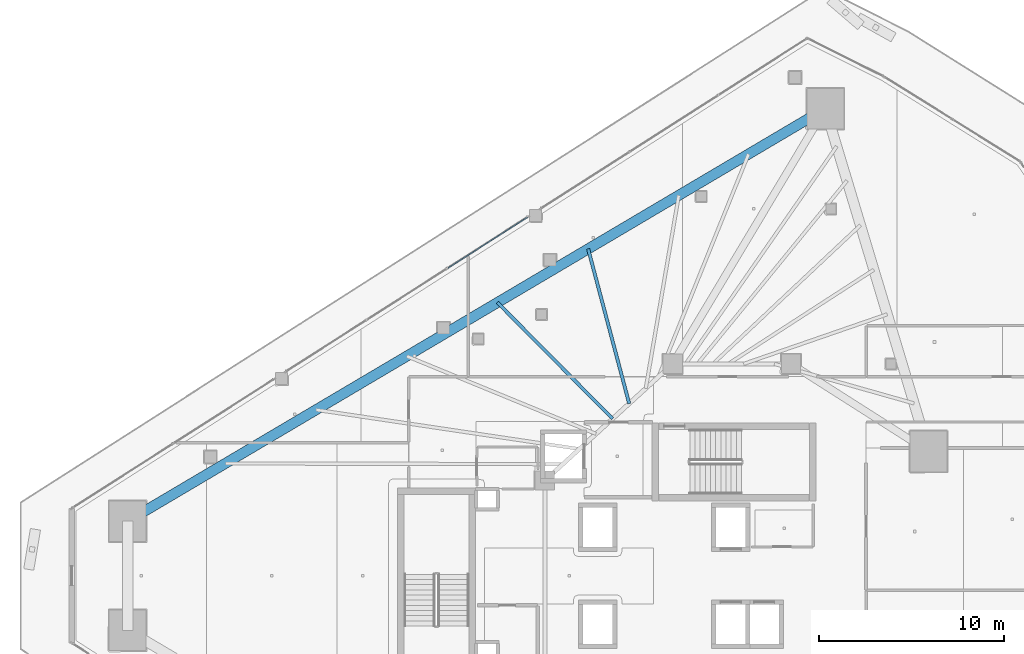
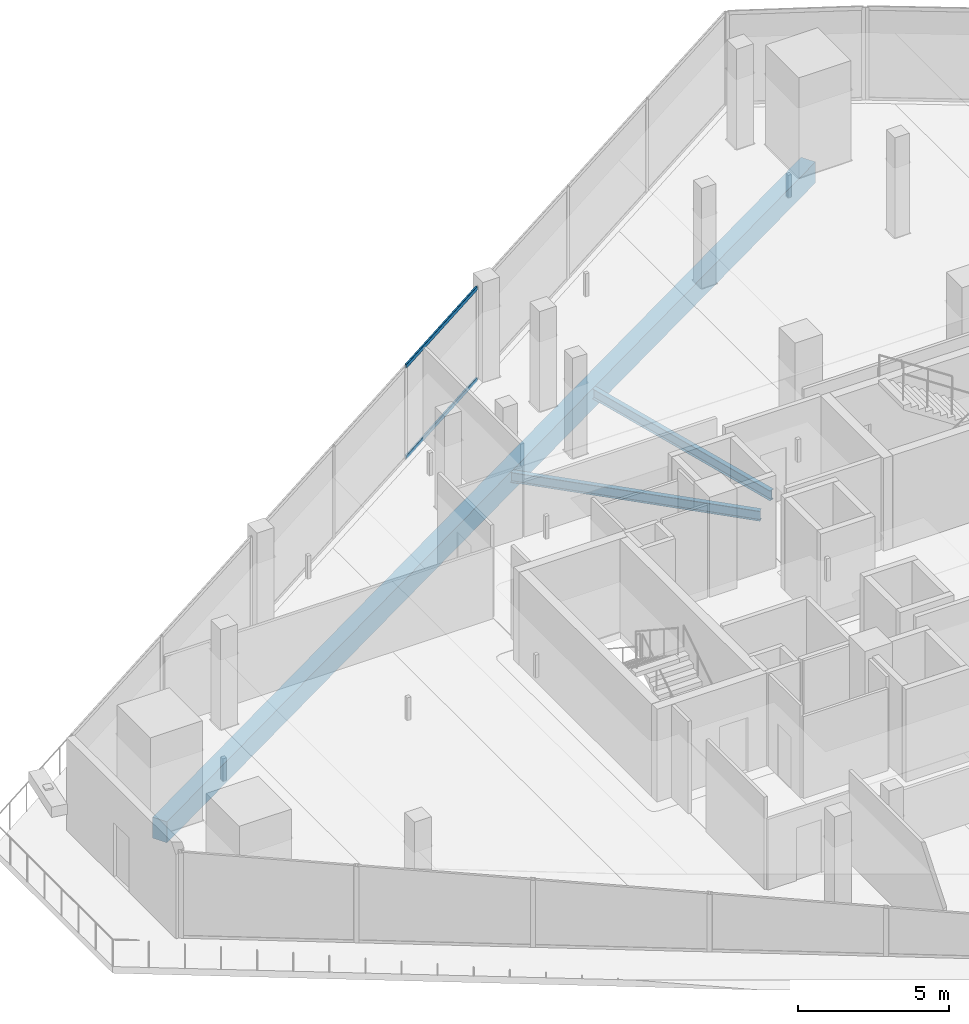
# One storey, part 16 of 36: 3 beams, 2 members, 1 element without a shape of its own.
"""IFC4 building model written with IfcOpenShell, lengths in metres."""

from ifc_helpers import new_model, si_unit, direction, frame, origin, origin_2d, place, context, subcontext, project, spatial, rectangle, hollow_rectangle, i_section, extrude, material, layer, layer_set, material_profile, profile_set, type_object, element, aggregate, save


model = new_model("IFC4")

# Units and contexts
model_context = context("Model", 3, precision=1e-05, world=origin(), true_north=direction((0.0, 1.0)))
body_context = subcontext(model_context, "Body", "Model", "MODEL_VIEW")
ifc_project = project(units=[si_unit("LENGTHUNIT", "METRE"), si_unit("AREAUNIT", "SQUARE_METRE"), si_unit("VOLUMEUNIT", "CUBIC_METRE"), si_unit("PLANEANGLEUNIT", "RADIAN"), si_unit("MASSUNIT", "GRAM", prefix="KILO")], contexts=[model_context])

# Site, building, storey
site_placement = place(None, origin())
site = spatial("IfcSite", under=ifc_project, at=site_placement, CompositionType="ELEMENT")
building_placement = place(site_placement, origin())
building = spatial("IfcBuilding", under=site, at=building_placement, Name="Qorvath Tower", CompositionType="ELEMENT")
storey_placement = place(building_placement, frame((0.0, 0.0, 170.550048828125)))
storey = spatial("IfcBuildingStorey", under=building, at=storey_placement, Name="L39", CompositionType="ELEMENT", Elevation=170.550048828125)

# Beams
ifc_material_1 = material(Name="Steel ASTM A992 Grade 50", Category="steel")
ifc_material_profile_1 = material_profile(ifc_material_1, i_section(OverallWidth=0.177978515625, OverallDepth=0.406005859375, WebThickness=0.0078125, FlangeThickness=0.0126953125, FilletRadius=0.010986328125, at=origin_2d()), Name="W16x40")
ifc_profile_set_1 = profile_set([ifc_material_profile_1], Name="Steel ASTM A992 Grade 50")
beam_type_1 = type_object("IfcBeamType", Name="BM-FJ3", PredefinedType="JOIST", material=ifc_profile_set_1)
beam_1_placement = place(storey_placement, frame((-26.843017578125, 8.489013671875, -0.47314453125), z_axis=(-0.70395121362, 0.710248328997, 0.0), x_axis=(-0.710248328997, -0.70395121362, 0.0)))
element("IfcBeam", 1, at=beam_1_placement, inside=storey, type_object=beam_type_1, Name="Composite Floor Joist NW4 L39", PredefinedType="JOIST", context=body_context, shape_type="SweptSolid", body=[
    extrude(i_section(OverallWidth=0.177978515625, OverallDepth=0.406005859375, WebThickness=0.0078125, FlangeThickness=0.0126953125, FilletRadius=0.010986328125, at=origin_2d()), origin(), (0.0, 0.0, 1.0), 8.839599609375),
])
beam_2_placement = place(storey_placement, frame((-25.946044921875, 9.30810546875, -0.47314453125), z_axis=(-0.256507909517, 0.966542131702, 0.0), x_axis=(-0.966542131702, -0.256507909517, 0.0)))
element("IfcBeam", 2, at=beam_2_placement, inside=storey, type_object=beam_type_1, Name="Composite Floor Joist NW5 L39", PredefinedType="JOIST", context=body_context, shape_type="SweptSolid", body=[
    extrude(i_section(OverallWidth=0.177978515625, OverallDepth=0.406005859375, WebThickness=0.0078125, FlangeThickness=0.0126953125, FilletRadius=0.010986328125, at=origin_2d()), origin(), (0.0, 0.0, 1.0), 8.64697265625),
])
ifc_material_2 = material(Name="Concrete C50/60", Category="concrete")
ifc_material_profile_2 = material_profile(ifc_material_2, rectangle(XDim=0.550048828125, YDim=0.85009765625, at=origin_2d()), Name="RCB 850x550")
ifc_profile_set_2 = profile_set([ifc_material_profile_2], Name="Concrete C50/60")
beam_type_2 = type_object("IfcBeamType", Name="BM-RCB2", PredefinedType="SPANDREL", material=ifc_profile_set_2)
beam_3_placement = place(storey_placement, frame((-15.34423828125, 25.24609375, -0.695068359375), z_axis=(-0.860775142889, -0.508985415689, 0.0), x_axis=(0.508985415689, -0.860775142889, 0.0)))
element("IfcBeam", 3, at=beam_3_placement, inside=storey, type_object=beam_type_2, Name="Perimeter Loggia Frame Beam MC6-MC1 L39", PredefinedType="SPANDREL", context=body_context, shape_type="SweptSolid", body=[
    extrude(rectangle(XDim=0.550048828125, YDim=0.85009765625, at=origin_2d()), origin(), (0.0, 0.0, 1.0), 43.8037109375),
])

# Curtain wall, members
ifc_material_3 = material(Name="Anodised aluminium and triple low-E glass", Category="aluminium")
ifc_layer = layer(ifc_material_3, 0.179931640625)
ifc_layer_set = layer_set([ifc_layer], Name="CW-SYS-3")
curtain_wall_type = type_object("IfcCurtainWallType", Name="CW-SYS-3", PredefinedType="NOTDEFINED", material=ifc_layer_set)
curtain_wall_placement = place(storey_placement, origin())
curtain_wall = element("IfcCurtainWall", 4, at=curtain_wall_placement, inside=storey, type_object=curtain_wall_type, Name="Curtain Wall CW-3 CW-T-L39-16.2", PredefinedType="NOTDEFINED")
ifc_material_4 = material(Name="Anodised aluminium 6063-T6", Category="aluminium")
ifc_material_profile_3 = material_profile(ifc_material_4, hollow_rectangle(XDim=0.06494140625, YDim=0.159912109375, WallThickness=0.00341796875, InnerFilletRadius=0.00341796875, OuterFilletRadius=0.007080078125, at=origin_2d()), Name="CWT 160x65")
ifc_profile_set_3 = profile_set([ifc_material_profile_3], Name="Anodised aluminium 6063-T6")
member_type = type_object("IfcMemberType", Name="CWT-160", PredefinedType="USERDEFINED", material=ifc_profile_set_3)
member_1_placement = place(storey_placement, frame((-31.440673828125, 19.37890625, 0.032470703125), z_axis=(-0.842588786004, -0.53855745998, 0.0), x_axis=(0.53855745998, -0.842588786004, 0.0)))
member_1 = element("IfcMember", 5, at=member_1_placement, type_object=member_type, Name="CW-3 transom 1.1", ObjectType="TRANSOM", PredefinedType="USERDEFINED", context=body_context, shape_type="SweptSolid", body=[
    extrude(hollow_rectangle(XDim=0.06494140625, YDim=0.159912109375, WallThickness=0.00341796875, InnerFilletRadius=0.00341796875, OuterFilletRadius=0.007080078125, at=origin_2d()), origin(), (0.0, 0.0, 1.0), 5.0966796875),
])
member_2_placement = place(storey_placement, frame((-31.440673828125, 19.37890625, 3.717529296875), z_axis=(-0.842588786004, -0.53855745998, 0.0), x_axis=(0.53855745998, -0.842588786004, 0.0)))
member_2 = element("IfcMember", 6, at=member_2_placement, type_object=member_type, Name="CW-3 transom 1.2", ObjectType="TRANSOM", PredefinedType="USERDEFINED", context=body_context, shape_type="SweptSolid", body=[
    extrude(hollow_rectangle(XDim=0.06494140625, YDim=0.159912109375, WallThickness=0.00341796875, InnerFilletRadius=0.00341796875, OuterFilletRadius=0.007080078125, at=origin_2d()), origin(), (0.0, 0.0, 1.0), 5.0966796875),
])
aggregate(curtain_wall, [member_1, member_2])

save(model, "model.ifc")
